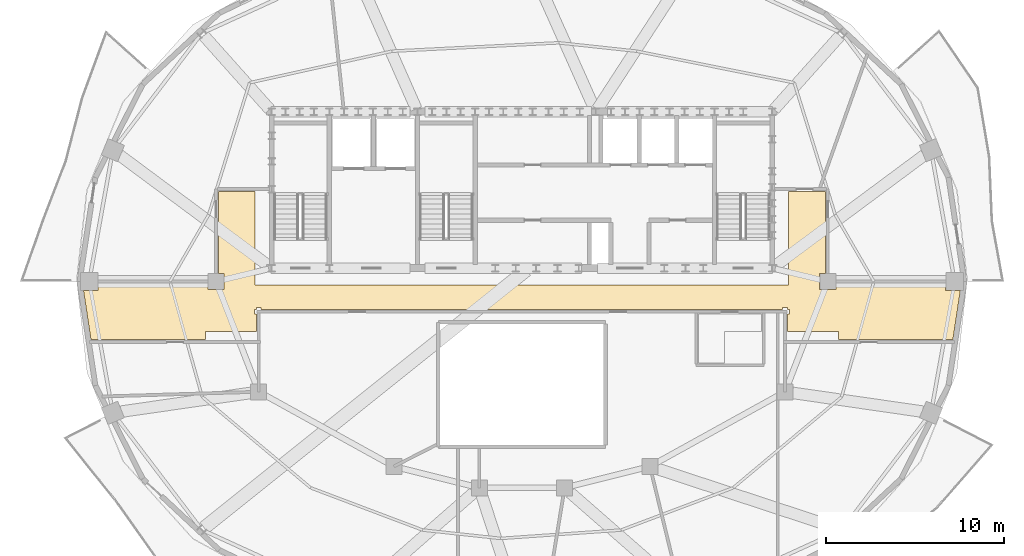
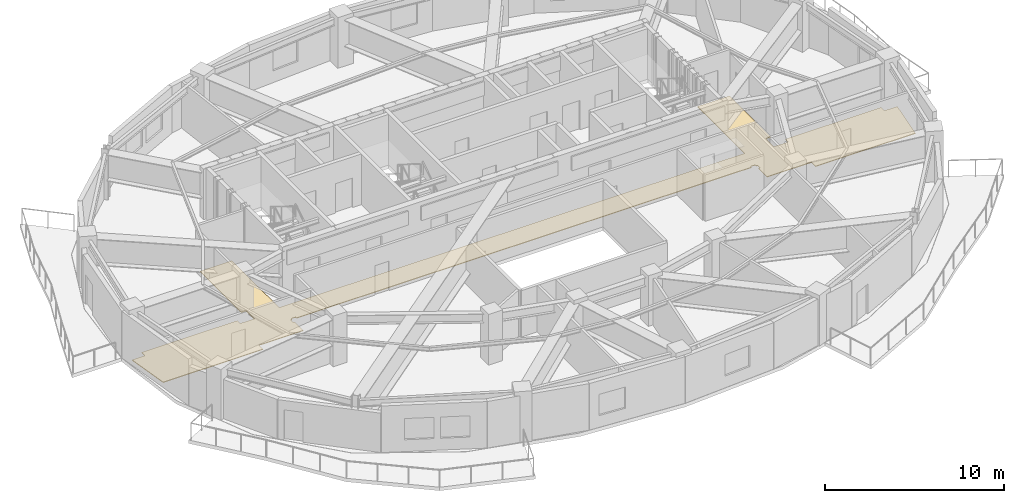
# One storey, part 8 of 10: 1 covering.
"""IFC4 building model written with IfcOpenShell, lengths in metres."""

from ifc_helpers import new_model, si_unit, direction, frame, origin, place, context, subcontext, project, spatial, polyline, outline, extrude, material, layer, layer_set, type_object, element, save


model = new_model("IFC4")

# Units and contexts
model_context = context("Model", 3, precision=1e-05, world=origin(), true_north=direction((0.0, 1.0)))
body_context = subcontext(model_context, "Body", "Model", "MODEL_VIEW")
ifc_project = project(units=[si_unit("LENGTHUNIT", "METRE"), si_unit("AREAUNIT", "SQUARE_METRE"), si_unit("VOLUMEUNIT", "CUBIC_METRE"), si_unit("PLANEANGLEUNIT", "RADIAN"), si_unit("MASSUNIT", "GRAM", prefix="KILO")], contexts=[model_context])

# Site, building, storey
site_placement = place(None, origin())
site = spatial("IfcSite", under=ifc_project, at=site_placement, CompositionType="ELEMENT")
building_placement = place(site_placement, origin())
building = spatial("IfcBuilding", under=site, at=building_placement, Name="Haldorwick Loom Tower", CompositionType="ELEMENT")
storey_placement = place(building_placement, frame((0.0, 0.0, 269.550048828125)))
storey = spatial("IfcBuildingStorey", under=building, at=storey_placement, Name="L73", CompositionType="ELEMENT", Elevation=269.550048828125)

# Covering
ifc_material = material(Name="Polished Aggregate Terrazzo Finish")
ifc_layer = layer(ifc_material, 0.044921875, Name="Polished Aggregate Terrazzo Finish")
ifc_layer_set = layer_set([ifc_layer], Name="Polished Aggregate Terrazzo Finish")
covering_type = type_object("IfcCoveringType", Name="ARC-COV-FLOOR2", PredefinedType="FLOORING", material=ifc_layer_set)
covering_placement = place(storey_placement, origin())
element("IfcCovering", 1, at=covering_placement, inside=storey, type_object=covering_type, Name="L73 Floor Finish 1", PredefinedType="FLOORING", context=body_context, shape_type="SweptSolid", body=[
    extrude(outline(polyline([(11.76611328125, 22.739990234375), (18.199951171875, 22.739990234375), (18.199951171875, 23.199951171875), (21.06005859375, 23.199951171875), (21.06005859375, 24.159912109375), (20.97998046875, 24.159912109375), (20.97802734375, 24.16015625), (20.97607421875, 24.160400390625), (20.97412109375, 24.160888671875), (20.972412109375, 24.16162109375), (20.970703125, 24.162353515625), (20.968994140625, 24.163330078125), (20.96728515625, 24.16455078125), (20.9658203125, 24.166015625), (20.964599609375, 24.167236328125), (20.96337890625, 24.1689453125), (20.96240234375, 24.170654296875), (20.96142578125, 24.17236328125), (20.9609375, 24.17431640625), (20.96044921875, 24.176025390625), (20.960205078125, 24.177978515625), (20.9599609375, 24.179931640625), (20.9599609375, 24.419921875), (20.960205078125, 24.422119140625), (20.96044921875, 24.423828125), (20.9609375, 24.42578125), (20.96142578125, 24.427734375), (20.96240234375, 24.429443359375), (20.96337890625, 24.43115234375), (20.964599609375, 24.4326171875), (20.9658203125, 24.43408203125), (20.96728515625, 24.435546875), (20.968994140625, 24.4365234375), (20.970703125, 24.4375), (20.972412109375, 24.4384765625), (20.97412109375, 24.439208984375), (20.97607421875, 24.439697265625), (20.97802734375, 24.43994140625), (20.97998046875, 24.43994140625), (21.06005859375, 24.43994140625), (21.06005859375, 24.52001953125), (21.06005859375, 24.52197265625), (21.060302734375, 24.52392578125), (21.060791015625, 24.52587890625), (21.0615234375, 24.527587890625), (21.0625, 24.529296875), (21.0634765625, 24.531005859375), (21.064453125, 24.53271484375), (21.06591796875, 24.5341796875), (21.0673828125, 24.535400390625), (21.06884765625, 24.53662109375), (21.070556640625, 24.53759765625), (21.072265625, 24.53857421875), (21.07421875, 24.5390625), (21.076171875, 24.53955078125), (21.077880859375, 24.539794921875), (21.080078125, 24.5400390625), (21.320068359375, 24.5400390625), (21.322021484375, 24.539794921875), (21.323974609375, 24.53955078125), (21.32568359375, 24.5390625), (21.32763671875, 24.53857421875), (21.329345703125, 24.53759765625), (21.3310546875, 24.53662109375), (21.332763671875, 24.535400390625), (21.333984375, 24.5341796875), (21.33544921875, 24.53271484375), (21.336669921875, 24.531005859375), (21.337646484375, 24.529296875), (21.33837890625, 24.527587890625), (21.339111328125, 24.52587890625), (21.339599609375, 24.52392578125), (21.33984375, 24.52197265625), (21.340087890625, 24.52001953125), (21.340087890625, 24.43994140625), (50.659912109375, 24.43994140625), (50.659912109375, 24.52001953125), (50.66015625, 24.52197265625), (50.660400390625, 24.52392578125), (50.660888671875, 24.52587890625), (50.66162109375, 24.527587890625), (50.662353515625, 24.529296875), (50.663330078125, 24.531005859375), (50.66455078125, 24.53271484375), (50.666015625, 24.5341796875), (50.667236328125, 24.535400390625), (50.6689453125, 24.53662109375), (50.670654296875, 24.53759765625), (50.67236328125, 24.53857421875), (50.67431640625, 24.5390625), (50.676025390625, 24.53955078125), (50.677978515625, 24.539794921875), (50.679931640625, 24.5400390625), (50.919921875, 24.5400390625), (50.922119140625, 24.539794921875), (50.923828125, 24.53955078125), (50.92578125, 24.5390625), (50.927734375, 24.53857421875), (50.929443359375, 24.53759765625), (50.93115234375, 24.53662109375), (50.9326171875, 24.535400390625), (50.93408203125, 24.5341796875), (50.935546875, 24.53271484375), (50.9365234375, 24.531005859375), (50.9375, 24.529296875), (50.9384765625, 24.527587890625), (50.939208984375, 24.52587890625), (50.939697265625, 24.52392578125), (50.93994140625, 24.52197265625), (50.93994140625, 24.52001953125), (50.93994140625, 24.43994140625), (51.02001953125, 24.43994140625), (51.02197265625, 24.43994140625), (51.02392578125, 24.439697265625), (51.02587890625, 24.439208984375), (51.027587890625, 24.4384765625), (51.029296875, 24.4375), (51.031005859375, 24.4365234375), (51.03271484375, 24.435546875), (51.0341796875, 24.43408203125), (51.035400390625, 24.4326171875), (51.03662109375, 24.43115234375), (51.03759765625, 24.429443359375), (51.03857421875, 24.427734375), (51.0390625, 24.42578125), (51.03955078125, 24.423828125), (51.039794921875, 24.422119140625), (51.0400390625, 24.419921875), (51.0400390625, 24.179931640625), (51.039794921875, 24.177978515625), (51.03955078125, 24.176025390625), (51.0390625, 24.17431640625), (51.03857421875, 24.17236328125), (51.03759765625, 24.170654296875), (51.03662109375, 24.1689453125), (51.035400390625, 24.167236328125), (51.0341796875, 24.166015625), (51.03271484375, 24.16455078125), (51.031005859375, 24.163330078125), (51.029296875, 24.162353515625), (51.027587890625, 24.16162109375), (51.02587890625, 24.160888671875), (51.02392578125, 24.160400390625), (51.02197265625, 24.16015625), (51.02001953125, 24.159912109375), (50.93994140625, 24.159912109375), (50.93994140625, 23.199951171875), (53.800048828125, 23.199951171875), (53.800048828125, 22.739990234375), (60.23388671875, 22.739990234375), (60.65283203125, 25.491943359375), (59.828857421875, 25.491943359375), (59.828857421875, 25.860107421875), (53.657958984375, 25.860107421875), (53.657958984375, 25.5419921875), (52.741943359375, 25.5419921875), (52.741943359375, 26.4580078125), (53.06005859375, 26.4580078125), (53.06005859375, 31.06005859375), (51.0, 31.06005859375), (51.0, 25.800048828125), (21.0, 25.800048828125), (21.0, 31.06005859375), (18.93994140625, 31.06005859375), (18.93994140625, 26.4580078125), (19.258056640625, 26.4580078125), (19.258056640625, 25.5419921875), (18.342041015625, 25.5419921875), (18.342041015625, 25.860107421875), (12.171142578125, 25.860107421875), (12.171142578125, 25.491943359375), (11.34716796875, 25.491943359375), (11.76611328125, 22.739990234375)])), origin(), (0.0, 0.0, 1.0), 0.044921875),
])

save(model, "model.ifc")
